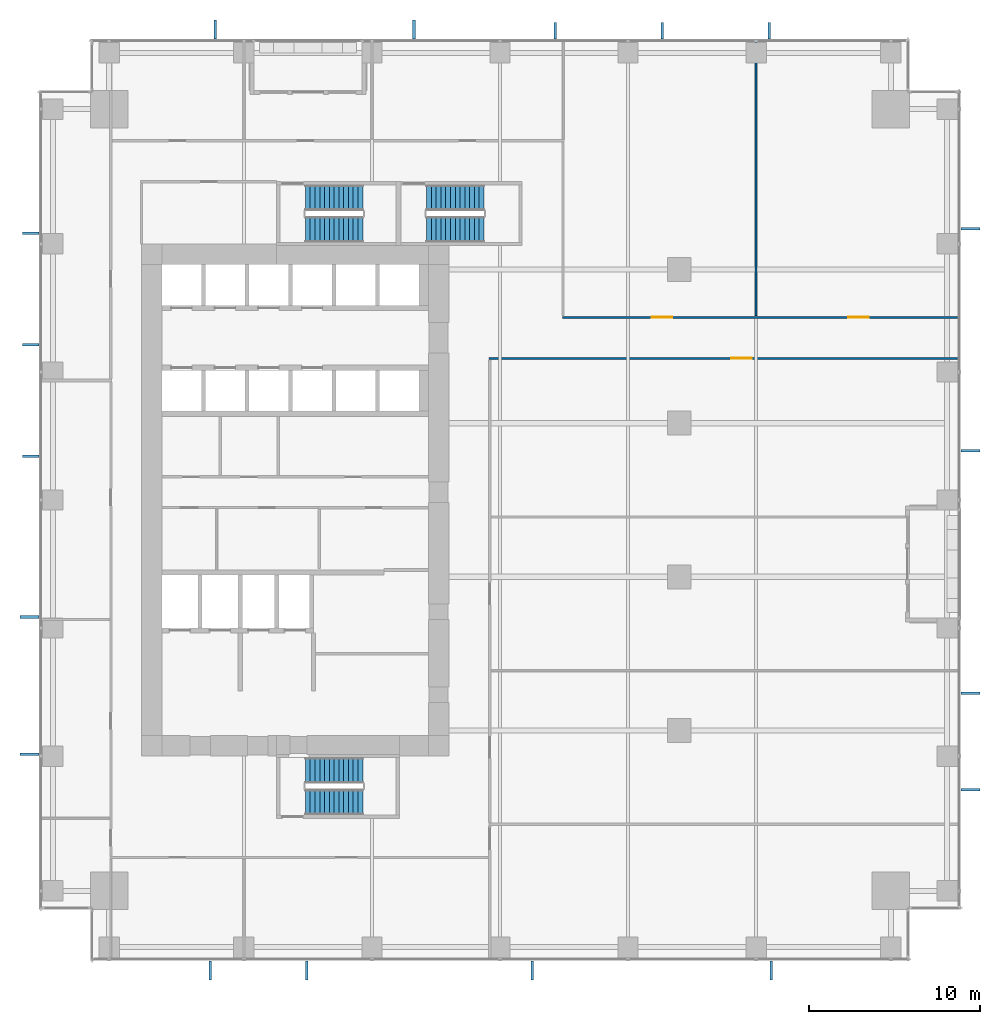
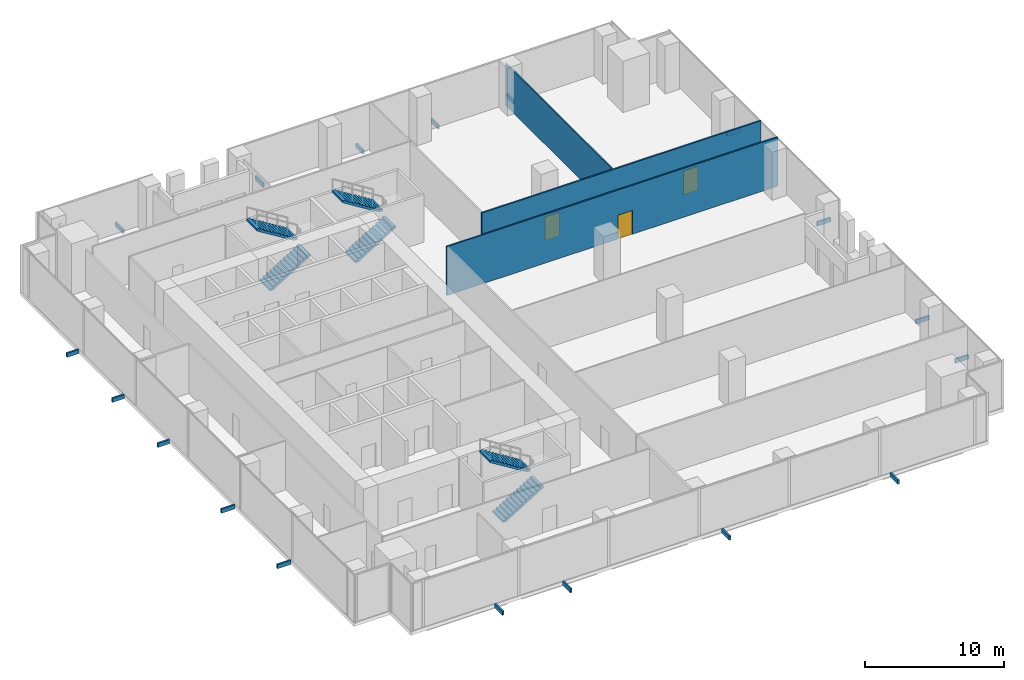
# One storey, part 29 of 32: 18 discrete accessories, 6 stair flights, 3 doors, 3 walls, 3 openings, 3 elements without a shape of their own.
"""IFC4 building model written with IfcOpenShell, lengths in metres."""

from ifc_helpers import new_model, si_unit, direction, frame, frame_2d, origin, origin_2d, place, context, subcontext, project, spatial, polyline, rectangle, outline, extrude, source, transform, mapped, material, layer, layer_set, type_object, element, fill, aggregate, save


model = new_model("IFC4")

# Units and contexts
model_context = context("Model", 3, precision=1e-05, world=origin(), true_north=direction((0.0, 1.0)))
body_context = subcontext(model_context, "Body", "Model", "MODEL_VIEW")
ifc_project = project(units=[si_unit("LENGTHUNIT", "METRE"), si_unit("AREAUNIT", "SQUARE_METRE"), si_unit("VOLUMEUNIT", "CUBIC_METRE"), si_unit("PLANEANGLEUNIT", "RADIAN"), si_unit("MASSUNIT", "GRAM", prefix="KILO")], contexts=[model_context])

# Site, building, storey
site_placement = place(None, origin())
site = spatial("IfcSite", under=ifc_project, at=site_placement, CompositionType="ELEMENT")
building_placement = place(site_placement, origin())
building = spatial("IfcBuilding", under=site, at=building_placement, Name="Khomas Fold Tower", CompositionType="ELEMENT")
storey_placement = place(building_placement, frame((0.0, 0.0, 37.5)))
storey = spatial("IfcBuildingStorey", under=building, at=storey_placement, Name="L07", CompositionType="ELEMENT", Elevation=37.5)

# Wall, opening, door
ifc_material_1 = material(Name="Plasterboard partition")
ifc_layer_1 = layer(ifc_material_1, 0.125)
ifc_layer_set_1 = layer_set([ifc_layer_1], Name="Plasterboard partition")
wall_type_1 = type_object("IfcWallType", Name="Partition PW2 125", PredefinedType="PARTITIONING", material=ifc_layer_set_1)
shared_shape_1 = source(origin(), body_context, "Body", "SweptSolid", [
    extrude(rectangle(XDim=27.5, YDim=0.125, at=frame_2d((13.75, 0.0))), origin(), (0.0, 0.0, 1.0), 4.300048828125),
])
wall_1_placement = place(storey_placement, frame((26.35009765625, 35.300048828125, 0.0), z_axis=(0.0, 0.0, 1.0), x_axis=(1.0, 0.0, 0.0)))
wall_1 = element("IfcWall", 1, at=wall_1_placement, inside=storey, type_object=wall_type_1, Name="Partition", PredefinedType="PARTITIONING", context=body_context, shape_type="MappedRepresentation", body=[
    mapped(shared_shape_1, transform((0.0, 0.0, 0.0))),
])
shared_shape_2 = source(origin(), body_context, "Body", "SweptSolid", [
    extrude(rectangle(XDim=1.199951171875, YDim=2.10009765625, at=frame_2d((0.60009765625, 1.050048828125))), frame((0.0, 0.072509765625, 0.0), z_axis=(0.0, -1.0, 0.0), x_axis=(1.0, 0.0, 0.0)), (0.0, 0.0, 1.0), 0.14501953125),
])
opening_1_placement = place(wall_1_placement, frame((14.199951171875, 0.0, 0.0)))
opening_1 = element("IfcOpeningElement", 2, at=opening_1_placement, cuts=wall_1, Name="Opening 0001", PredefinedType="OPENING", context=body_context, shape_type="MappedRepresentation", body=[
    mapped(shared_shape_2, transform((0.0, 0.0, 0.0))),
])
ifc_material_2 = material(Name="Timber door leaf", Category="wood")
door_type_1 = type_object("IfcDoorType", Name="Door 1200x2100 right-hand", OperationType="SINGLE_SWING_RIGHT", PredefinedType="DOOR", material=ifc_material_2)
shared_shape_3 = source(origin(), body_context, "Body", "SweptSolid", [
    extrude(rectangle(XDim=1.199951171875, YDim=2.10009765625, at=frame_2d((0.60009765625, 1.050048828125))), frame((0.0, 0.02490234375, 0.0), z_axis=(0.0, -1.0, 0.0), x_axis=(1.0, 0.0, 0.0)), (0.0, 0.0, 1.0), 0.050048828125),
])
door_1_placement = place(opening_1_placement, origin())
door_1 = element("IfcDoor", 3, at=door_1_placement, inside=storey, type_object=door_type_1, Name="Door", OperationType="SINGLE_SWING_RIGHT", OverallHeight=2.10009765625, OverallWidth=1.199951171875, PredefinedType="DOOR", context=body_context, shape_type="MappedRepresentation", body=[
    mapped(shared_shape_3, transform((0.0, 0.0, 0.0))),
])
fill(opening_1, door_1)

# Wall, openings, doors
shared_shape_4 = source(origin(), body_context, "Body", "SweptSolid", [
    extrude(rectangle(XDim=23.2001953125, YDim=0.125, at=frame_2d((11.60009765625, 0.0))), origin(), (0.0, 0.0, 1.0), 4.300048828125),
])
wall_2_placement = place(storey_placement, frame((30.64990234375, 37.699951171875, 0.0), z_axis=(0.0, 0.0, 1.0), x_axis=(1.0, 0.0, 0.0)))
wall_2 = element("IfcWall", 4, at=wall_2_placement, inside=storey, type_object=wall_type_1, Name="Partition", PredefinedType="PARTITIONING", context=body_context, shape_type="MappedRepresentation", body=[
    mapped(shared_shape_4, transform((0.0, 0.0, 0.0))),
])
opening_2_placement = place(wall_2_placement, frame((5.25, 0.0, 0.0)))
opening_2 = element("IfcOpeningElement", 5, at=opening_2_placement, cuts=wall_2, Name="Opening 0013", PredefinedType="OPENING", context=body_context, shape_type="MappedRepresentation", body=[
    mapped(shared_shape_2, transform((0.0, 0.0, 0.0))),
])
opening_3_placement = place(wall_2_placement, frame((16.75, 0.0, 0.0)))
opening_3 = element("IfcOpeningElement", 6, at=opening_3_placement, cuts=wall_2, Name="Opening 0013", PredefinedType="OPENING", context=body_context, shape_type="MappedRepresentation", body=[
    mapped(shared_shape_2, transform((0.0, 0.0, 0.0))),
])
ifc_material_3 = material(Name="Timber door leaf", Category="wood")
door_type_2 = type_object("IfcDoorType", Name="Door 1200x2100 left-hand", OperationType="SINGLE_SWING_LEFT", PredefinedType="DOOR", material=ifc_material_3)
door_2_placement = place(opening_2_placement, origin())
door_2 = element("IfcDoor", 7, at=door_2_placement, inside=storey, type_object=door_type_2, Name="Door", OperationType="SINGLE_SWING_LEFT", OverallHeight=2.10009765625, OverallWidth=1.199951171875, PredefinedType="DOOR", context=body_context, shape_type="MappedRepresentation", body=[
    mapped(shared_shape_3, transform((0.0, 0.0, 0.0))),
])
fill(opening_2, door_2)
door_3_placement = place(opening_3_placement, origin())
door_3 = element("IfcDoor", 8, at=door_3_placement, inside=storey, type_object=door_type_2, Name="Door", OperationType="SINGLE_SWING_LEFT", OverallHeight=2.10009765625, OverallWidth=1.199951171875, PredefinedType="DOOR", context=body_context, shape_type="MappedRepresentation", body=[
    mapped(shared_shape_3, transform((0.0, 0.0, 0.0))),
])
fill(opening_3, door_3)

# Wall
ifc_material_4 = material(Name="Plasterboard partition")
ifc_layer_2 = layer(ifc_material_4, 0.10009765625)
ifc_layer_set_2 = layer_set([ifc_layer_2], Name="Plasterboard partition")
wall_type_2 = type_object("IfcWallType", Name="Partition PW1 100", PredefinedType="PARTITIONING", material=ifc_layer_set_2)
shared_shape_5 = source(origin(), body_context, "Body", "SweptSolid", [
    extrude(rectangle(XDim=16.050048828125, YDim=0.10009765625, at=frame_2d((8.02490234375, 0.0))), origin(), (0.0, 0.0, 1.0), 3.699951171875),
])
wall_3_placement = place(storey_placement, frame((42.0, 37.800048828125, 0.0), z_axis=(0.0, 0.0, 1.0), x_axis=(0.0, 1.0, 0.0)))
element("IfcWall", 9, at=wall_3_placement, inside=storey, type_object=wall_type_2, Name="Partition", PredefinedType="PARTITIONING", context=body_context, shape_type="MappedRepresentation", body=[
    mapped(shared_shape_5, transform((0.0, 0.0, 0.0))),
])

# Stair, stair flights
ifc_material_5 = material(Name="Concrete C40/50", Category="concrete")
stair_type_1 = type_object("IfcStairType", Name="Stair ST1", PredefinedType="HALF_TURN_STAIR", material=ifc_material_5)
stair_1_placement = place(storey_placement, origin())
stair_1 = element("IfcStair", 10, at=stair_1_placement, inside=storey, type_object=stair_type_1, Name="L07 ST1", PredefinedType="HALF_TURN_STAIR")
ifc_material_6 = material(Name="Concrete C40/50", Category="concrete")
stair_flight_type_1 = type_object("IfcStairFlightType", Name="Stair flight 1500 ST1", PredefinedType="STRAIGHT", material=ifc_material_6)
shared_shape_6 = source(origin(), body_context, "Body", "SweptSolid", [
    extrude(outline(polyline([(0.0, 0.0), (0.0, 0.013427734375), (0.0, 0.026611328125), (0.0, 0.0400390625), (0.0, 0.05322265625), (0.0, 0.066650390625), (0.0, 0.079833984375), (0.0, 0.09326171875), (0.0, 0.1064453125), (0.0, 0.119873046875), (0.0, 0.133056640625), (0.0, 0.146484375), (0.0, 0.15966796875), (0.0, 0.173095703125), (0.280029296875, 0.173095703125), (0.280029296875, 0.34619140625), (0.56005859375, 0.34619140625), (0.56005859375, 0.519287109375), (0.840087890625, 0.519287109375), (0.840087890625, 0.6923828125), (1.1201171875, 0.6923828125), (1.1201171875, 0.865478515625), (1.39990234375, 0.865478515625), (1.39990234375, 1.03857421875), (1.679931640625, 1.03857421875), (1.679931640625, 1.21142578125), (1.9599609375, 1.21142578125), (1.9599609375, 1.384521484375), (2.239990234375, 1.384521484375), (2.239990234375, 1.5576171875), (2.52001953125, 1.5576171875), (2.52001953125, 1.730712890625), (2.800048828125, 1.730712890625), (2.800048828125, 1.90380859375), (3.080078125, 1.90380859375), (3.080078125, 2.076904296875), (3.360107421875, 2.076904296875), (3.360107421875, 2.25), (3.360107421875, 2.22314453125), (3.360107421875, 2.1962890625), (3.360107421875, 2.16943359375), (3.360107421875, 2.142578125), (3.360107421875, 2.11572265625), (3.360107421875, 2.0888671875), (3.360107421875, 2.06201171875), (3.360107421875, 2.03515625), (3.360107421875, 2.008056640625), (3.360107421875, 1.981201171875), (3.360107421875, 1.954345703125), (3.360107421875, 1.927490234375), (3.360107421875, 1.900634765625), (0.28515625, 0.0), (0.0, 0.0)])), frame((0.0, 0.75, 0.0), z_axis=(0.0, -1.0, 0.0), x_axis=(1.0, 0.0, 0.0)), (0.0, 0.0, 1.0), 1.5),
])
stair_flight_1_placement = place(storey_placement, frame((15.60009765625, 42.85009765625, 0.0), z_axis=(0.0, 0.0, 1.0), x_axis=(1.0, 0.0, 0.0)))
stair_flight_1 = element("IfcStairFlight", 11, at=stair_flight_1_placement, type_object=stair_flight_type_1, Name="ST1 flight 1", NumberOfRisers=13, NumberOfTreads=12, PredefinedType="STRAIGHT", RiserHeight=0.173076923, TreadLength=0.28, context=body_context, shape_type="MappedRepresentation", body=[
    mapped(shared_shape_6, transform((0.0, 0.0, 0.0))),
])
stair_flight_2_placement = place(storey_placement, frame((18.9599609375, 44.699951171875, 2.25), z_axis=(0.0, 0.0, 1.0), x_axis=(-1.0, 0.0, 0.0)))
stair_flight_2 = element("IfcStairFlight", 12, at=stair_flight_2_placement, type_object=stair_flight_type_1, Name="ST1 flight 2", NumberOfRisers=13, NumberOfTreads=12, PredefinedType="STRAIGHT", RiserHeight=0.173076923, TreadLength=0.28, context=body_context, shape_type="MappedRepresentation", body=[
    mapped(shared_shape_6, transform((0.0, 0.0, 0.0))),
])
aggregate(stair_1, [stair_flight_1, stair_flight_2])

ifc_material_7 = material(Name="Concrete C40/50", Category="concrete")
stair_type_2 = type_object("IfcStairType", Name="Stair ST2", PredefinedType="HALF_TURN_STAIR", material=ifc_material_7)
stair_2_placement = place(storey_placement, origin())
stair_2 = element("IfcStair", 13, at=stair_2_placement, inside=storey, type_object=stair_type_2, Name="L07 ST2", PredefinedType="HALF_TURN_STAIR")
ifc_material_8 = material(Name="Concrete C40/50", Category="concrete")
stair_flight_type_2 = type_object("IfcStairFlightType", Name="Stair flight 1500 ST2", PredefinedType="STRAIGHT", material=ifc_material_8)
stair_flight_3_placement = place(storey_placement, frame((15.60009765625, 9.300048828125, 0.0), z_axis=(0.0, 0.0, 1.0), x_axis=(1.0, 0.0, 0.0)))
stair_flight_3 = element("IfcStairFlight", 14, at=stair_flight_3_placement, type_object=stair_flight_type_2, Name="ST2 flight 1", NumberOfRisers=13, NumberOfTreads=12, PredefinedType="STRAIGHT", RiserHeight=0.173076923, TreadLength=0.28, context=body_context, shape_type="MappedRepresentation", body=[
    mapped(shared_shape_6, transform((0.0, 0.0, 0.0))),
])
stair_flight_4_placement = place(storey_placement, frame((18.9599609375, 11.14990234375, 2.25), z_axis=(0.0, 0.0, 1.0), x_axis=(-1.0, 0.0, 0.0)))
stair_flight_4 = element("IfcStairFlight", 15, at=stair_flight_4_placement, type_object=stair_flight_type_2, Name="ST2 flight 2", NumberOfRisers=13, NumberOfTreads=12, PredefinedType="STRAIGHT", RiserHeight=0.173076923, TreadLength=0.28, context=body_context, shape_type="MappedRepresentation", body=[
    mapped(shared_shape_6, transform((0.0, 0.0, 0.0))),
])
aggregate(stair_2, [stair_flight_3, stair_flight_4])

ifc_material_9 = material(Name="Concrete C40/50", Category="concrete")
stair_type_3 = type_object("IfcStairType", Name="Stair ST3", PredefinedType="HALF_TURN_STAIR", material=ifc_material_9)
stair_3_placement = place(storey_placement, origin())
stair_3 = element("IfcStair", 16, at=stair_3_placement, inside=storey, type_object=stair_type_3, Name="L07 ST3", PredefinedType="HALF_TURN_STAIR")
ifc_material_10 = material(Name="Concrete C40/50", Category="concrete")
stair_flight_type_3 = type_object("IfcStairFlightType", Name="Stair flight 1500 ST3", PredefinedType="STRAIGHT", material=ifc_material_10)
stair_flight_5_placement = place(storey_placement, frame((22.699951171875, 42.85009765625, 0.0), z_axis=(0.0, 0.0, 1.0), x_axis=(1.0, 0.0, 0.0)))
stair_flight_5 = element("IfcStairFlight", 17, at=stair_flight_5_placement, type_object=stair_flight_type_3, Name="ST3 flight 1", NumberOfRisers=13, NumberOfTreads=12, PredefinedType="STRAIGHT", RiserHeight=0.173076923, TreadLength=0.28, context=body_context, shape_type="MappedRepresentation", body=[
    mapped(shared_shape_6, transform((0.0, 0.0, 0.0))),
])
stair_flight_6_placement = place(storey_placement, frame((26.06005859375, 44.699951171875, 2.25), z_axis=(0.0, 0.0, 1.0), x_axis=(-1.0, 0.0, 0.0)))
stair_flight_6 = element("IfcStairFlight", 18, at=stair_flight_6_placement, type_object=stair_flight_type_3, Name="ST3 flight 2", NumberOfRisers=13, NumberOfTreads=12, PredefinedType="STRAIGHT", RiserHeight=0.173076923, TreadLength=0.28, context=body_context, shape_type="MappedRepresentation", body=[
    mapped(shared_shape_6, transform((0.0, 0.0, 0.0))),
])
aggregate(stair_3, [stair_flight_5, stair_flight_6])

# Discrete accessories
ifc_material_11 = material(Name="Stainless steel", Category="steel")
discrete_accessory_type = type_object("IfcDiscreteAccessoryType", Name="SK-Stainless steel stone bracket", PredefinedType="BRACKET", material=ifc_material_11)
shared_shape_7 = source(origin(), body_context, "Body", "SweptSolid", [
    extrude(rectangle(XDim=1.123291015625, YDim=0.14990234375, at=origin_2d()), origin(), (0.0, 0.0, 1.0), 0.360107421875),
])
for number, where, z_axis, x_axis, name in (
    (19, (10.030029296875, -0.561767578125, -0.30029296875), (0.0, 0.0, 1.0), (0.0, -1.0, 0.0), "Stone bracket L07 SS03-1-3"),
    (20, (15.690185546875, -0.561767578125, -0.30029296875), (0.0, 0.0, 1.0), (0.0, -1.0, 0.0), "Stone bracket L07 SS03-1-4"),
    (21, (28.877685546875, -0.561767578125, -0.30029296875), (0.0, 0.0, 1.0), (0.0, -1.0, 0.0), "Stone bracket L07 SS06-2-2"),
    (22, (42.8916015625, -0.561767578125, -0.30029296875), (0.0, 0.0, 1.0), (0.0, -1.0, 0.0), "Stone bracket L07 SS09-3-2"),
    (23, (54.561767578125, 10.030029296875, -0.30029296875), (0.0, 0.0, 1.0), (1.0, 0.0, 0.0), "Stone bracket L07 ES03-1-3"),
    (24, (54.561767578125, 15.690185546875, -0.30029296875), (0.0, 0.0, 1.0), (1.0, 0.0, 0.0), "Stone bracket L07 ES03-1-4"),
    (25, (54.561767578125, 29.897705078125, -0.30029296875), (0.0, 0.0, 1.0), (1.0, 0.0, 0.0), "Stone bracket L07 ES06-2-2"),
    (26, (54.561767578125, 42.8916015625, -0.30029296875), (0.0, 0.0, 1.0), (1.0, 0.0, 0.0), "Stone bracket L07 ES09-3-2"),
    (27, (21.959716796875, 54.561767578125, -0.30029296875), (0.0, 0.0, 1.0), (0.0, 1.0, 0.0), "Stone bracket L07 NS05-1-2"),
    (28, (10.312744140625, 54.561767578125, -0.30029296875), (0.0, 0.0, 1.0), (0.0, 1.0, 0.0), "Stone bracket L07 NS05-2-2"),
    (29, (-0.561767578125, 12.098388671875, -0.30029296875), (0.0, 0.0, 1.0), (-1.0, 0.0, 0.0), "Stone bracket L07 WS05-1-3"),
    (30, (-0.561767578125, 20.144775390625, -0.30029296875), (0.0, 0.0, 1.0), (-1.0, 0.0, 0.0), "Stone bracket L07 WS05-1-4"),
):
    element("IfcDiscreteAccessory", number, at=place(storey_placement, frame(where, z_axis=z_axis, x_axis=x_axis)), inside=storey, type_object=discrete_accessory_type, Name=name, PredefinedType="BRACKET", context=body_context, shape_type="MappedRepresentation", body=[
        mapped(shared_shape_7, transform((0.0, 0.0, 0.0))),
    ])
shared_shape_8 = source(origin(), body_context, "Body", "SweptSolid", [
    extrude(rectangle(XDim=0.984619140625, YDim=0.14990234375, at=origin_2d()), origin(), (0.0, 0.0, 1.0), 0.360107421875),
])
for number, where, z_axis, x_axis, name in (
    (31, (30.243408203125, 54.4921875, -0.30029296875), (0.0, 0.0, 1.0), (0.0, 1.0, 0.0), "Stone bracket L07 NS08-3-4"),
    (32, (36.509033203125, 54.4921875, -0.30029296875), (0.0, 0.0, 1.0), (0.0, 1.0, 0.0), "Stone bracket L07 NS08-3-5"),
    (33, (42.774658203125, 54.4921875, -0.30029296875), (0.0, 0.0, 1.0), (0.0, 1.0, 0.0), "Stone bracket L07 NS08-3-6"),
    (34, (-0.4921875, 29.575927734375, -0.30029296875), (0.0, 0.0, 1.0), (-1.0, 0.0, 0.0), "Stone bracket L07 WS08-2-4"),
    (35, (-0.4921875, 36.108642578125, -0.30029296875), (0.0, 0.0, 1.0), (-1.0, 0.0, 0.0), "Stone bracket L07 WS08-2-5"),
    (36, (-0.4921875, 42.64111328125, -0.30029296875), (0.0, 0.0, 1.0), (-1.0, 0.0, 0.0), "Stone bracket L07 WS08-2-6"),
):
    element("IfcDiscreteAccessory", number, at=place(storey_placement, frame(where, z_axis=z_axis, x_axis=x_axis)), inside=storey, type_object=discrete_accessory_type, Name=name, PredefinedType="BRACKET", context=body_context, shape_type="MappedRepresentation", body=[
        mapped(shared_shape_8, transform((0.0, 0.0, 0.0))),
    ])

save(model, "model.ifc")
